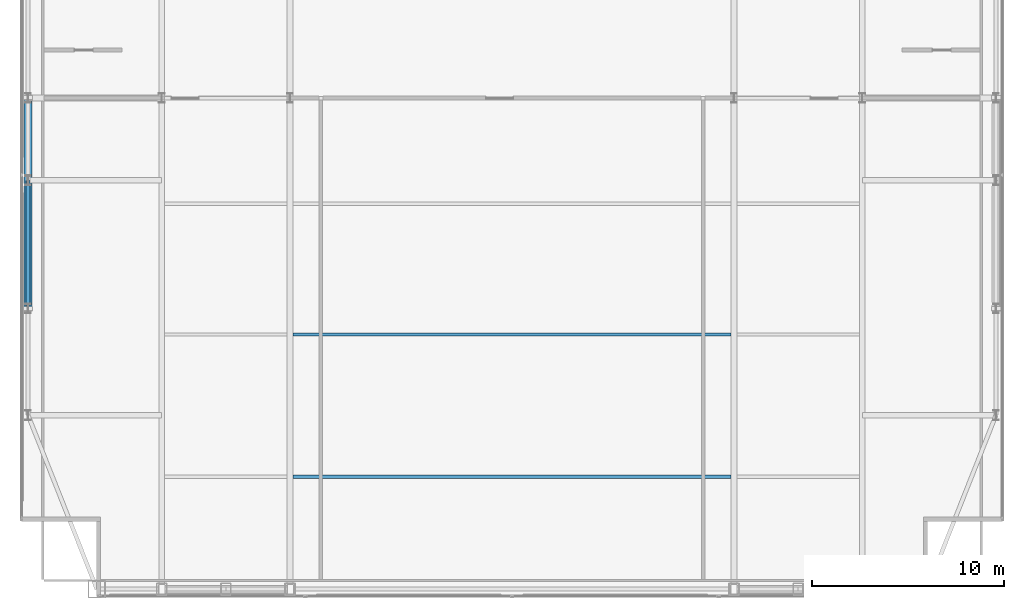
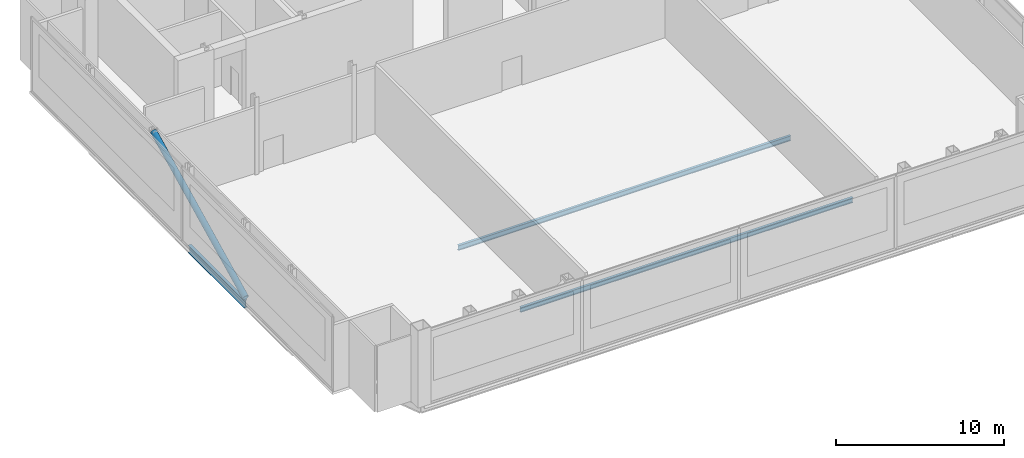
# One storey, part 7 of 22: 3 beams, 1 member.
"""IFC4 building model written with IfcOpenShell, lengths in metres."""

import ifcopenshell
import ifcopenshell.guid

model = None  # the IFC model being written
_history = None  # IfcOwnerHistory: only IFC2X3 demands one
_inside = {}  # id of a spatial element -> (the spatial element, [elements in it])
_under = {}  # id of a project, library or spatial element -> (it, [spatial elements below it])
_declared = {}  # id of a project -> (the project, [libraries it declares])
_typed = {}  # id of a type object -> (the type object, [elements of that type])
_made_of = {}  # id of a material, layer set ... -> (it, [elements and type objects made of it])


def new_model(schema):
    """Start an empty IFC model of exactly this schema.

    Asked for "IFC4X3", IfcOpenShell would pick the latest addendum, in which some entities
    have other attributes; the version numbers below select the first issue.
    IFC2X3 requires an IfcOwnerHistory on every rooted entity: one is made here for all.
    """
    global model, _history
    if schema == "IFC4X3":
        model = ifcopenshell.file(schema_version=(4, 3, 0, 0))
    else:
        model = ifcopenshell.file(schema=schema)
    _inside.clear()
    _under.clear()
    _declared.clear()
    _typed.clear()
    _made_of.clear()
    _history = None
    if model.schema == "IFC2X3":
        org = make("IfcOrganization", Name="unknown")
        user = make(
            "IfcPersonAndOrganization",
            ThePerson=make("IfcPerson", FamilyName="unknown"),
            TheOrganization=org,
        )
        app = make(
            "IfcApplication",
            ApplicationDeveloper=org,
            Version="unknown",
            ApplicationFullName="unknown",
            ApplicationIdentifier="unknown",
        )
        _history = make(
            "IfcOwnerHistory",
            OwningUser=user,
            OwningApplication=app,
            ChangeAction="ADDED",
            CreationDate=0,
        )
    return model


def make(cls, **values):
    """One entity of the class cls with the attributes given. An attribute that is None is left unset."""
    return model.create_entity(
        cls, **{name: value for name, value in values.items() if value is not None}
    )


def rooted(cls, **values):
    """An entity with a GlobalId (a new one), such as an element, a storey or a relation."""
    return make(cls, GlobalId=ifcopenshell.guid.new(), OwnerHistory=_history, **values)


def si_unit(unit_type, name, prefix=None):
    """IfcSIUnit, for example si_unit("LENGTHUNIT", "METRE", prefix="MILLI")."""
    return make("IfcSIUnit", UnitType=unit_type, Prefix=prefix, Name=name)


def assignment(units):
    """IfcUnitAssignment: the units of a project."""
    return None if units is None else make("IfcUnitAssignment", Units=units)


def point(xyz):
    """IfcCartesianPoint."""
    return None if xyz is None else make("IfcCartesianPoint", Coordinates=xyz)


def direction(xyz):
    """IfcDirection."""
    return None if xyz is None else make("IfcDirection", DirectionRatios=xyz)


def frame(location, z_axis=None, x_axis=None):
    """IfcAxis2Placement3D, a coordinate frame: its origin and axes. An axis left out is left unset."""
    return make(
        "IfcAxis2Placement3D",
        Location=point(location),
        Axis=direction(z_axis),
        RefDirection=direction(x_axis),
    )


def frame_2d(location, x_axis=None):
    """IfcAxis2Placement2D, a coordinate frame in the plane: its origin and x axis."""
    return make(
        "IfcAxis2Placement2D", Location=point(location), RefDirection=direction(x_axis)
    )


def origin():
    """The frame at (0, 0, 0) with its axes left unset."""
    return frame((0.0, 0.0, 0.0))


def origin_2d():
    """The frame at (0, 0) in the plane with its x axis left unset."""
    return frame_2d((0.0, 0.0))


def place(relative_to, where):
    """IfcLocalPlacement: puts the frame where relative to a parent placement (None: the world)."""
    return make(
        "IfcLocalPlacement", PlacementRelTo=relative_to, RelativePlacement=where
    )


def context(
    kind, dimensions, precision=None, world=None, true_north=None, identifier=None
):
    """IfcGeometricRepresentationContext, for example the 3D "Model" context."""
    return make(
        "IfcGeometricRepresentationContext",
        ContextIdentifier=identifier,
        ContextType=kind,
        CoordinateSpaceDimension=dimensions,
        Precision=precision,
        WorldCoordinateSystem=world,
        TrueNorth=true_north,
    )


def subcontext(parent, identifier, kind, view, scale=None):
    """IfcGeometricRepresentationSubContext, for example "Body" below "Model"."""
    return make(
        "IfcGeometricRepresentationSubContext",
        ContextIdentifier=identifier,
        ContextType=kind,
        ParentContext=parent,
        TargetScale=scale,
        TargetView=view,
    )


def project(units=None, contexts=None):
    """IfcProject with its units and contexts."""
    return rooted(
        "IfcProject",
        Name="project",
        RepresentationContexts=contexts,
        UnitsInContext=assignment(units),
    )


def spatial(cls, under=None, at=None, **own):
    """A site, building, storey or space (cls), placed at a placement, below another one or the project."""
    s = rooted(cls, ObjectPlacement=at, **own)
    if under is not None:
        _under.setdefault(under.id(), (under, []))[1].append(s)
    return s


def profile(cls, at=None, kind="AREA", **sizes):
    """A parametric profile (cls). Its sizes go by their IFC names, for example OverallWidth=200.0."""
    return make(cls, ProfileType=kind, Position=at, **sizes)


def hollow_circle(**sizes):
    """IfcCircleHollowProfileDef."""
    return profile("IfcCircleHollowProfileDef", **sizes)


def i_section(**sizes):
    """IfcIShapeProfileDef."""
    return profile("IfcIShapeProfileDef", **sizes)


def extrude(swept, where, along, depth):
    """IfcExtrudedAreaSolid: the profile swept, set in the frame where, extruded along a direction by depth."""
    return make(
        "IfcExtrudedAreaSolid",
        SweptArea=swept,
        Position=where,
        ExtrudedDirection=direction(along),
        Depth=depth,
    )


def shape(context_of_items, identifier, shape_type, items):
    """IfcShapeRepresentation: the items that make up one representation, for example the "Body"."""
    return make(
        "IfcShapeRepresentation",
        ContextOfItems=context_of_items,
        RepresentationIdentifier=identifier,
        RepresentationType=shape_type,
        Items=items,
    )


def material(Name=None, Category=None):
    """IfcMaterial."""
    return make("IfcMaterial", Name=Name, Category=Category)


def material_profile(
    of_material, cross_section, Name=None, Category=None, Priority=None
):
    """IfcMaterialProfile: a cross section and its material."""
    return make(
        "IfcMaterialProfile",
        Name=Name,
        Material=of_material,
        Profile=cross_section,
        Priority=Priority,
        Category=Category,
    )


def profile_set(profiles, Name=None, composite=None):
    """IfcMaterialProfileSet."""
    return make(
        "IfcMaterialProfileSet",
        Name=Name,
        MaterialProfiles=profiles,
        CompositeProfile=composite,
    )


def made_of(thing, what):
    """Note that an element or type object is made of a material, layer set ...; save() writes the relation."""
    if what is not None:
        _made_of.setdefault(what.id(), (what, []))[1].append(thing)
    return thing


def type_object(cls, material=None, **own):
    """A type object (cls), such as IfcWallType, which elements share."""
    return made_of(rooted(cls, **own), material)


def element(
    cls,
    number,
    at=None,
    inside=None,
    cuts=None,
    type_object=None,
    material=None,
    context=None,
    identifier="Body",
    shape_type=None,
    held_by="IfcProductDefinitionShape",
    body=None,
    shapes=None,
    **own,
):
    """One element of the class cls, such as IfcWall. Its Tag is "e" and its number.

    at: its placement. inside: the storey or other place that contains it. cuts: it is an
    opening in that element (IfcRelVoidsElement). A single representation is given by context,
    identifier, shape_type and body (its items); several are given by shapes. held_by: the class
    of the entity that holds the representations. save() writes the other relations.
    """
    e = rooted(cls, Tag="e%d" % number, ObjectPlacement=at, **own)
    if body is not None:
        shapes = [shape(context, identifier, shape_type, body)]
    if shapes is not None:
        e.Representation = make(held_by, Representations=shapes)
    if inside is not None:
        _inside.setdefault(inside.id(), (inside, []))[1].append(e)
    if cuts is not None:
        rooted(
            "IfcRelVoidsElement", RelatingBuildingElement=cuts, RelatedOpeningElement=e
        )
    if type_object is not None:
        _typed.setdefault(type_object.id(), (type_object, []))[1].append(e)
    return made_of(e, material)


def aggregate(whole, parts):
    """IfcRelAggregates: a whole, such as a stair, and the parts it consists of."""
    return rooted("IfcRelAggregates", RelatingObject=whole, RelatedObjects=parts)


def save(model, path):
    """Write the relations noted so far, then the file.

    IfcRelAggregates (storeys below a building ...), IfcRelContainedInSpatialStructure (elements
    in a storey), IfcRelDefinesByType, IfcRelAssociatesMaterial and IfcRelDeclares: one each for
    every whole, place, type object, material and project.
    """
    for whole, parts in _under.values():
        aggregate(whole, parts)
    for where, things in _inside.values():
        rooted(
            "IfcRelContainedInSpatialStructure",
            RelatedElements=things,
            RelatingStructure=where,
        )
    for kind, things in _typed.values():
        rooted("IfcRelDefinesByType", RelatedObjects=things, RelatingType=kind)
    for what, things in _made_of.values():
        rooted("IfcRelAssociatesMaterial", RelatedObjects=things, RelatingMaterial=what)
    for by, libraries in _declared.values():
        rooted("IfcRelDeclares", RelatingContext=by, RelatedDefinitions=libraries)
    model.write(path)


model = new_model("IFC4")

# Units and contexts
model_context = context("Model", 3, precision=1e-05, world=origin(), true_north=direction((0.0, 1.0)))
body_context = subcontext(model_context, "Body", "Model", "MODEL_VIEW")
ifc_project = project(units=[si_unit("LENGTHUNIT", "METRE"), si_unit("AREAUNIT", "SQUARE_METRE"), si_unit("VOLUMEUNIT", "CUBIC_METRE"), si_unit("PLANEANGLEUNIT", "RADIAN"), si_unit("MASSUNIT", "GRAM", prefix="KILO")], contexts=[model_context])

# Site, building, storey
site_placement = place(None, origin())
site = spatial("IfcSite", under=ifc_project, at=site_placement, CompositionType="ELEMENT")
building_placement = place(site_placement, origin())
building = spatial("IfcBuilding", under=site, at=building_placement, Name="Khoronbel Lancet Exchange", CompositionType="ELEMENT")
storey_placement = place(building_placement, frame((0.0, 0.0, 367.39990234375)))
storey = spatial("IfcBuildingStorey", under=building, at=storey_placement, Name="L94", CompositionType="ELEMENT", Elevation=367.39990234375)

# Beams
ifc_material = material(Name="Steel S355", Category="steel")
ifc_material_profile_1 = material_profile(ifc_material, i_section(OverallWidth=0.169921875, OverallDepth=0.360107421875, WebThickness=0.008056640625, FlangeThickness=0.0126953125, at=origin_2d()), Name="IPE 360")
ifc_profile_set_1 = profile_set([ifc_material_profile_1], Name="Steel S355")
beam_type_1 = type_object("IfcBeamType", Name="BM-BJ6", PredefinedType="JOIST", material=ifc_profile_set_1)
for number, where, z_axis, x_axis, name in (
    (1, (25.050048828125, 16.0, -0.3798828125), (1.0, 0.0, 0.0), (0.0, 1.0, 0.0), "Level L94 secondary composite joist J02"),
    (2, (25.050048828125, 23.39990234375, -0.3798828125), (1.0, 0.0, 0.0), (0.0, 1.0, 0.0), "Level L94 secondary composite joist J05"),
):
    element("IfcBeam", number, at=place(storey_placement, frame(where, z_axis=z_axis, x_axis=x_axis)), inside=storey, type_object=beam_type_1, Name=name, PredefinedType="JOIST", context=body_context, shape_type="SweptSolid", body=[
        extrude(i_section(OverallWidth=0.169921875, OverallDepth=0.360107421875, WebThickness=0.008056640625, FlangeThickness=0.0126953125, at=origin_2d()), origin(), (0.0, 0.0, 1.0), 22.800048828125),
    ])
ifc_material_profile_2 = material_profile(ifc_material, i_section(OverallWidth=0.2099609375, OverallDepth=0.550048828125, WebThickness=0.010986328125, FlangeThickness=0.01708984375, at=origin_2d()), Name="IPE 550")
ifc_profile_set_2 = profile_set([ifc_material_profile_2], Name="Steel S355")
beam_type_2 = type_object("IfcBeamType", Name="BM-BSP3", PredefinedType="SPANDREL", material=ifc_profile_set_2)
beam_placement = place(storey_placement, frame((11.27001953125, 31.425048828125, -0.474853515625), z_axis=(0.0, -1.0, 0.0), x_axis=(1.0, 0.0, 0.0)))
element("IfcBeam", 3, at=beam_placement, inside=storey, type_object=beam_type_2, Name="Level L94 perimeter spandrel beam SP17", PredefinedType="SPANDREL", context=body_context, shape_type="SweptSolid", body=[
    extrude(i_section(OverallWidth=0.2099609375, OverallDepth=0.550048828125, WebThickness=0.010986328125, FlangeThickness=0.01708984375, at=origin_2d()), origin(), (0.0, 0.0, 1.0), 6.675048828125),
])

# Member
ifc_material_profile_3 = material_profile(ifc_material, hollow_circle(Radius=0.203125, WallThickness=0.02001953125, at=origin_2d()), Name="CHS 406.4x20")
ifc_profile_set_3 = profile_set([ifc_material_profile_3], Name="Steel S355")
member_type = type_object("IfcMemberType", Name="MEM-STR2", PredefinedType="STRUT", material=ifc_profile_set_3)
member_placement = place(storey_placement, frame((11.27001953125, 24.75, 0.0), z_axis=(0.0, 0.89621437822, 0.44362122162), x_axis=(-1.0, 0.0, 0.0)))
element("IfcMember", 4, at=member_placement, inside=storey, type_object=member_type, Name="CROWN FRAME diagonal ring brace L94-W1", PredefinedType="STRUT", context=body_context, shape_type="SweptSolid", body=[
    extrude(hollow_circle(Radius=0.203125, WallThickness=0.02001953125, at=origin_2d()), origin(), (0.0, 0.0, 1.0), 12.218017578125),
])

save(model, "model.ifc")
